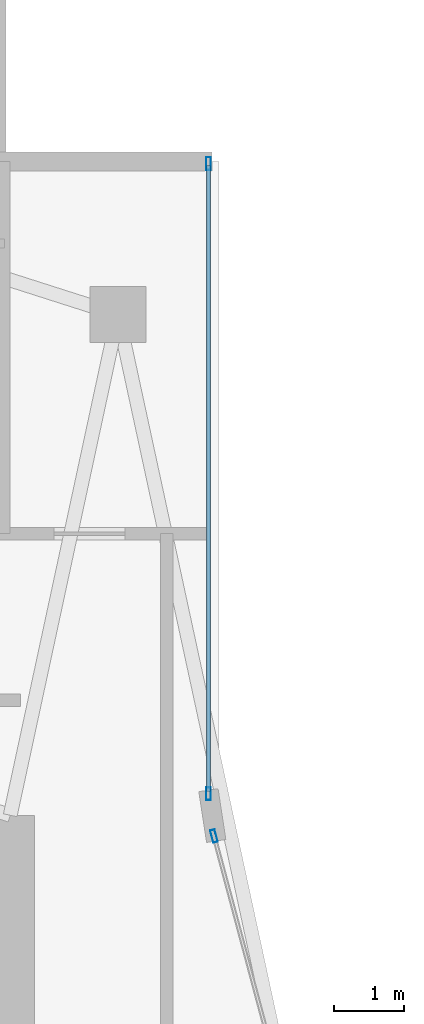
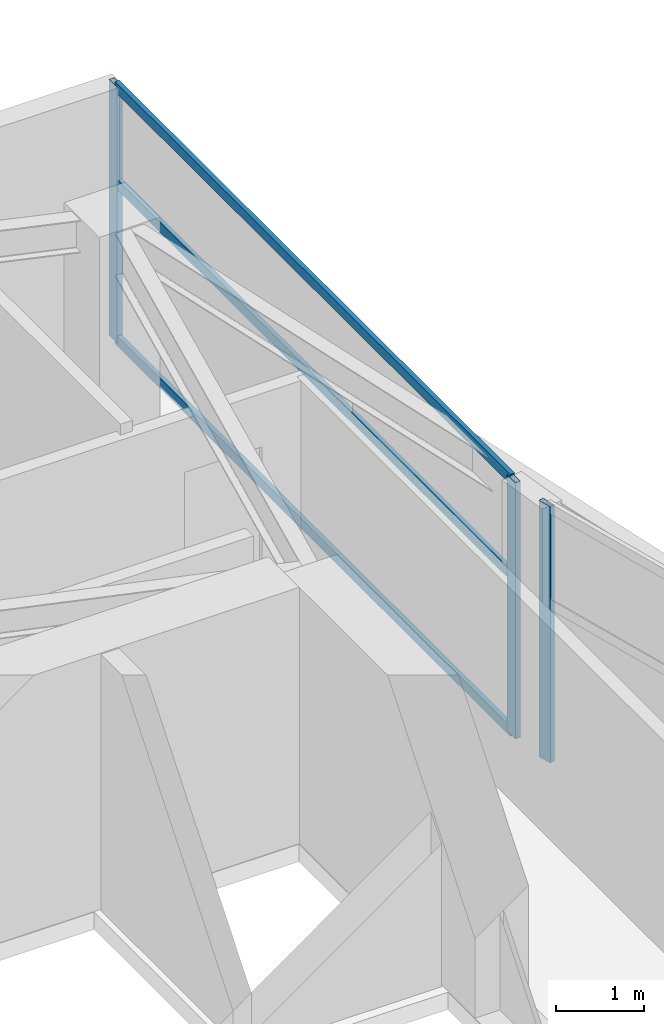
# One storey, part 18 of 27: 6 members, 2 elements without a shape of their own.
"""IFC4 building model written with IfcOpenShell, lengths in metres."""

from ifc_helpers import new_model, si_unit, direction, frame, origin, origin_2d, place, context, subcontext, project, spatial, hollow_rectangle, extrude, material, layer, layer_set, material_profile, profile_set, type_object, element, aggregate, save


model = new_model("IFC4")

# Units and contexts
model_context = context("Model", 3, precision=1e-05, world=origin(), true_north=direction((0.0, 1.0)))
body_context = subcontext(model_context, "Body", "Model", "MODEL_VIEW")
ifc_project = project(units=[si_unit("LENGTHUNIT", "METRE"), si_unit("AREAUNIT", "SQUARE_METRE"), si_unit("VOLUMEUNIT", "CUBIC_METRE"), si_unit("PLANEANGLEUNIT", "RADIAN"), si_unit("MASSUNIT", "GRAM", prefix="KILO")], contexts=[model_context])

# Site, building, storey
site_placement = place(None, origin())
site = spatial("IfcSite", under=ifc_project, at=site_placement, CompositionType="ELEMENT")
building_placement = place(site_placement, origin())
building = spatial("IfcBuilding", under=site, at=building_placement, Name="Calvorn Quay Hotel", CompositionType="ELEMENT")
storey_placement = place(building_placement, frame((0.0, 0.0, 223.10009765625)))
storey = spatial("IfcBuildingStorey", under=building, at=storey_placement, Name="L55", CompositionType="ELEMENT", Elevation=223.10009765625)

# Curtain wall, member
ifc_material_1 = material(Name="Champagne Bronze Anodised Aluminium and Low-E Glass", Category="aluminium")
ifc_layer = layer(ifc_material_1, 0.219970703125)
ifc_layer_set = layer_set([ifc_layer], Name="CW-SYS-Z3")
curtain_wall_type = type_object("IfcCurtainWallType", Name="CW-SYS-Z3", PredefinedType="NOTDEFINED", material=ifc_layer_set)
curtain_wall_1_placement = place(storey_placement, origin())
curtain_wall_1 = element("IfcCurtainWall", 1, at=curtain_wall_1_placement, inside=storey, type_object=curtain_wall_type, Name="Inner Court Curtain Wall L55-IC1", PredefinedType="NOTDEFINED")
ifc_material_2 = material(Name="Champagne Bronze Anodised Aluminium 6063-T6", Category="aluminium")
ifc_material_profile_1 = material_profile(ifc_material_2, hollow_rectangle(XDim=0.068115234375, YDim=0.18505859375, WallThickness=0.00390625, at=origin_2d()), Name="ALU-M185x68x4")
ifc_profile_set_1 = profile_set([ifc_material_profile_1], Name="Champagne Bronze Anodised Aluminium 6063-T6")
member_type_1 = type_object("IfcMemberType", Name="CW-SYS-Z3-MUL", PredefinedType="MULLION", material=ifc_profile_set_1)
member_1_placement = place(storey_placement, frame((17.9296875, 38.10107421875, 0.0), z_axis=(0.0, 0.0, 1.0), x_axis=(-0.96593652056, -0.25877913024, 0.0)))
member_1 = element("IfcMember", 2, at=member_1_placement, type_object=member_type_1, Name="CW-L55-IC1 mullion 2", PredefinedType="MULLION", context=body_context, shape_type="SweptSolid", body=[
    extrude(hollow_rectangle(XDim=0.068115234375, YDim=0.18505859375, WallThickness=0.00390625, at=origin_2d()), origin(), (0.0, 0.0, 1.0), 3.559814453125),
])
aggregate(curtain_wall_1, [member_1])

# Curtain wall, members
curtain_wall_2_placement = place(storey_placement, origin())
curtain_wall_2 = element("IfcCurtainWall", 3, at=curtain_wall_2_placement, inside=storey, type_object=curtain_wall_type, Name="Inner Court Curtain Wall L55-IC2", PredefinedType="NOTDEFINED")
member_2_placement = place(storey_placement, frame((17.85009765625, 38.7099609375, 0.0), z_axis=(0.0, 0.0, 1.0), x_axis=(-1.0, 0.0, 0.0)))
member_2 = element("IfcMember", 4, at=member_2_placement, type_object=member_type_1, Name="CW-L55-IC2 mullion 1", PredefinedType="MULLION", context=body_context, shape_type="SweptSolid", body=[
    extrude(hollow_rectangle(XDim=0.068115234375, YDim=0.18505859375, WallThickness=0.00390625, at=origin_2d()), origin(), (0.0, 0.0, 1.0), 3.559814453125),
])
member_3_placement = place(storey_placement, frame((17.85009765625, 47.77001953125, 0.0), z_axis=(0.0, 0.0, 1.0), x_axis=(-1.0, 0.0, 0.0)))
member_3 = element("IfcMember", 5, at=member_3_placement, type_object=member_type_1, Name="CW-L55-IC2 mullion 2", PredefinedType="MULLION", context=body_context, shape_type="SweptSolid", body=[
    extrude(hollow_rectangle(XDim=0.068115234375, YDim=0.18505859375, WallThickness=0.00390625, at=origin_2d()), origin(), (0.0, 0.0, 1.0), 3.559814453125),
])
ifc_material_3 = material(Name="Champagne Bronze Anodised Aluminium 6063-T6", Category="aluminium")
ifc_material_profile_2 = material_profile(ifc_material_3, hollow_rectangle(XDim=0.05810546875, YDim=0.139892578125, WallThickness=0.003173828125, at=origin_2d()), Name="ALU-T140x58x3.2")
ifc_profile_set_2 = profile_set([ifc_material_profile_2], Name="Champagne Bronze Anodised Aluminium 6063-T6")
member_type_2 = type_object("IfcMemberType", Name="CW-SYS-Z3-TRN", PredefinedType="USERDEFINED", material=ifc_profile_set_2)
member_4_placement = place(storey_placement, frame((17.85009765625, 38.739990234375, 0.02978515625), z_axis=(0.0, 1.0, 0.0), x_axis=(-1.0, 0.0, 0.0)))
member_4 = element("IfcMember", 6, at=member_4_placement, type_object=member_type_2, Name="CW-L55-IC2 transom 1.1", ObjectType="TRANSOM", PredefinedType="USERDEFINED", context=body_context, shape_type="SweptSolid", body=[
    extrude(hollow_rectangle(XDim=0.05810546875, YDim=0.139892578125, WallThickness=0.003173828125, at=origin_2d()), origin(), (0.0, 0.0, 1.0), 9.0),
])
member_5_placement = place(storey_placement, frame((17.85009765625, 38.739990234375, 2.199951171875), z_axis=(0.0, 1.0, 0.0), x_axis=(-1.0, 0.0, 0.0)))
member_5 = element("IfcMember", 7, at=member_5_placement, type_object=member_type_2, Name="CW-L55-IC2 transom 1.2", ObjectType="TRANSOM", PredefinedType="USERDEFINED", context=body_context, shape_type="SweptSolid", body=[
    extrude(hollow_rectangle(XDim=0.05810546875, YDim=0.139892578125, WallThickness=0.003173828125, at=origin_2d()), origin(), (0.0, 0.0, 1.0), 9.0),
])
member_6_placement = place(storey_placement, frame((17.85009765625, 38.739990234375, 3.52978515625), z_axis=(0.0, 1.0, 0.0), x_axis=(-1.0, 0.0, 0.0)))
member_6 = element("IfcMember", 8, at=member_6_placement, type_object=member_type_2, Name="CW-L55-IC2 transom 1.3", ObjectType="TRANSOM", PredefinedType="USERDEFINED", context=body_context, shape_type="SweptSolid", body=[
    extrude(hollow_rectangle(XDim=0.05810546875, YDim=0.139892578125, WallThickness=0.003173828125, at=origin_2d()), origin(), (0.0, 0.0, 1.0), 9.0),
])
aggregate(curtain_wall_2, [member_2, member_3, member_4, member_5, member_6])

save(model, "model.ifc")
